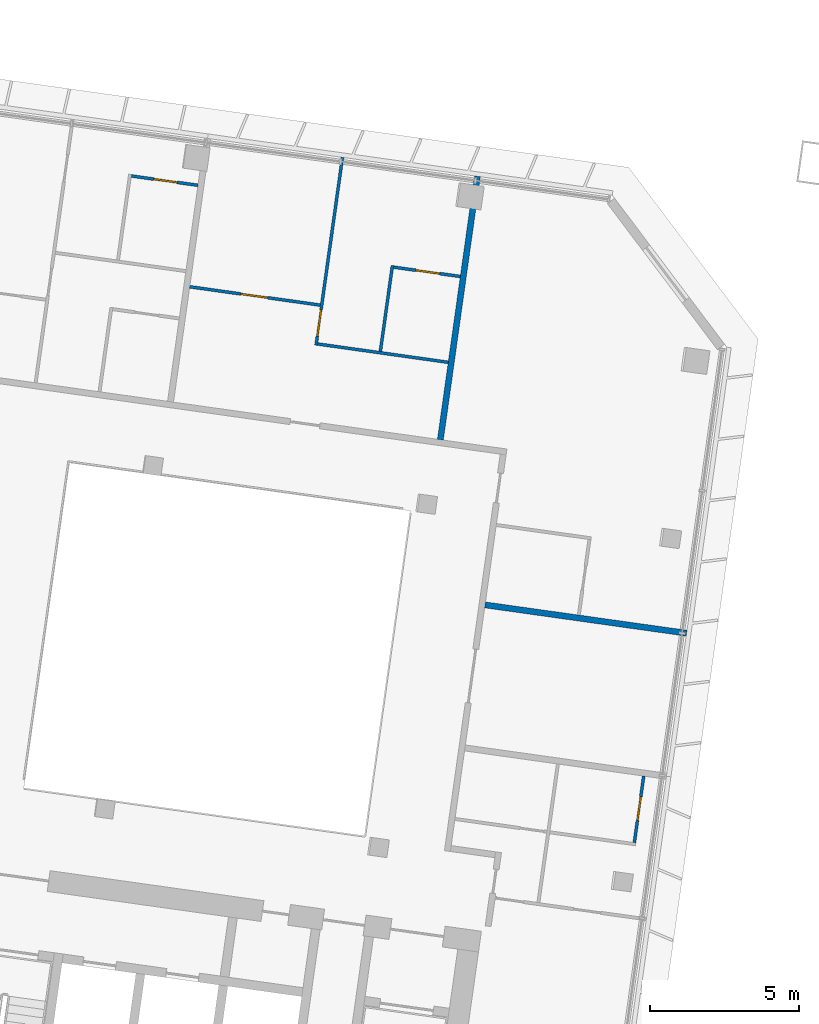
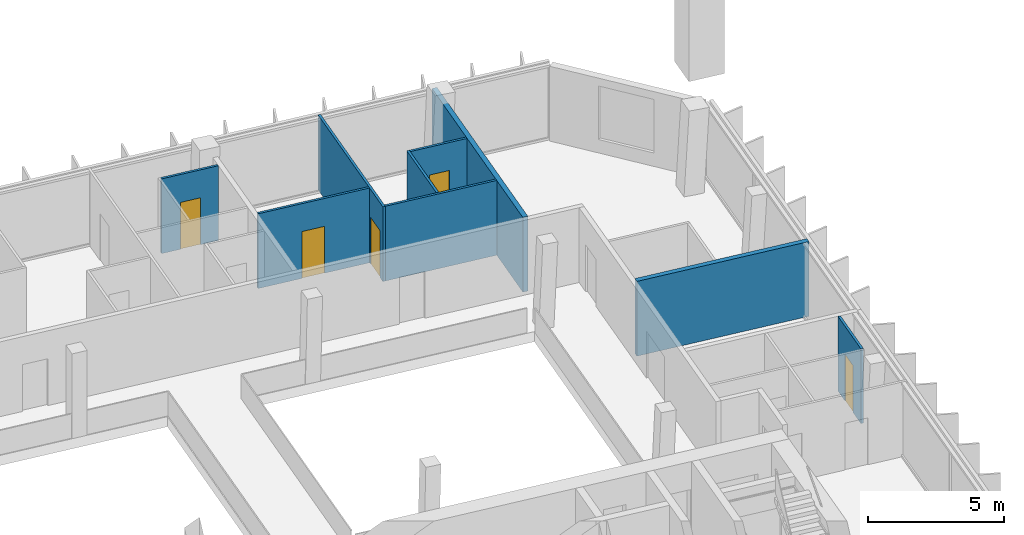
# One storey, part 20 of 32: 9 walls, 5 doors, 5 openings.
"""IFC4 building model written with IfcOpenShell, lengths in metres."""

from ifc_helpers import new_model, si_unit, direction, frame, frame_2d, origin, place, context, subcontext, project, spatial, rectangle, extrude, material, layer, layer_set, type_object, element, fill, save


model = new_model("IFC4")

# Units and contexts
model_context = context("Model", 3, precision=1e-05, world=origin(), true_north=direction((0.0, 1.0)))
body_context = subcontext(model_context, "Body", "Model", "MODEL_VIEW")
ifc_project = project(units=[si_unit("LENGTHUNIT", "METRE"), si_unit("AREAUNIT", "SQUARE_METRE"), si_unit("VOLUMEUNIT", "CUBIC_METRE"), si_unit("PLANEANGLEUNIT", "RADIAN"), si_unit("MASSUNIT", "GRAM", prefix="KILO")], contexts=[model_context])

# Site, building, storey
site_placement = place(None, origin())
site = spatial("IfcSite", under=ifc_project, at=site_placement, CompositionType="ELEMENT")
building_placement = place(site_placement, origin())
building = spatial("IfcBuilding", under=site, at=building_placement, Name="Mirante Cascada Hotel Towers", CompositionType="ELEMENT")
storey_placement = place(building_placement, frame((0.0, 0.0, 176.4)))
storey = spatial("IfcBuildingStorey", under=building, at=storey_placement, Name="L41", CompositionType="ELEMENT", Elevation=176.4)

# Walls
ifc_material_1 = material(Name="Fire-rated plasterboard on metal studs")
ifc_layer_1 = layer(ifc_material_1, 0.2)
ifc_layer_set_1 = layer_set([ifc_layer_1], Name="Compartment wall 200 EI 120")
wall_type_1 = type_object("IfcWallType", Name="Compartment wall 200 EI 120", PredefinedType="PARTITIONING", material=ifc_layer_set_1)
wall_1_placement = place(storey_placement, frame((-28.624, 2.6874, 0.0), z_axis=(0.0, 0.0, 1.0), x_axis=(-0.9902682, 0.139172, 0.0)))
element("IfcWall", 1, at=wall_1_placement, inside=storey, type_object=wall_type_1, Name="Wall 1-L41-14", PredefinedType="PARTITIONING", context=body_context, shape_type="SweptSolid", body=[
    extrude(rectangle(XDim=6.8103, YDim=0.2, at=frame_2d((3.4052, 0.0))), origin(), (0.0, 0.0, 1.0), 3.35),
])
wall_2_placement = place(storey_placement, frame((-35.6235, 17.977, 0.0), z_axis=(0.0, 0.0, 1.0), x_axis=(-0.13917, -0.9902685, 0.0)))
element("IfcWall", 2, at=wall_2_placement, inside=storey, type_object=wall_type_1, Name="Wall 1-L41-35", PredefinedType="PARTITIONING", context=body_context, shape_type="SweptSolid", body=[
    extrude(rectangle(XDim=8.8999, YDim=0.2, at=frame_2d((4.45, 0.0))), origin(), (0.0, 0.0, 1.0), 3.35),
])
ifc_material_2 = material(Name="Plasterboard on metal studs")
ifc_layer_2 = layer(ifc_material_2, 0.1)
ifc_layer_set_2 = layer_set([ifc_layer_2], Name="Partition 100")
wall_type_2 = type_object("IfcWallType", Name="Partition 100", PredefinedType="PARTITIONING", material=ifc_layer_set_2)
wall_3_placement = place(storey_placement, frame((-36.5993, 11.7523, 0.0), z_axis=(0.0, 0.0, 1.0), x_axis=(-0.9902694, 0.1391634, 0.0)))
element("IfcWall", 3, at=wall_3_placement, inside=storey, type_object=wall_type_2, Name="Wall 1-L41-18", PredefinedType="PARTITIONING", context=body_context, shape_type="SweptSolid", body=[
    extrude(rectangle(XDim=4.4092, YDim=0.1, at=frame_2d((2.2046, 0.0))), origin(), (0.0, 0.0, 1.0), 3.35),
])

# Wall, opening, door
wall_4_placement = place(storey_placement, frame((-45.25, 14.2808, 0.0), z_axis=(0.0, 0.0, 1.0), x_axis=(0.9902694, -0.1391634, 0.0)))
wall_4 = element("IfcWall", 4, at=wall_4_placement, inside=storey, type_object=wall_type_2, Name="Wall 1-L41-23", PredefinedType="PARTITIONING", context=body_context, shape_type="SweptSolid", body=[
    extrude(rectangle(XDim=4.4092, YDim=0.1, at=frame_2d((2.2046, 0.0))), origin(), (0.0, 0.0, 1.0), 3.35),
])
opening_1_placement = place(wall_4_placement, frame((1.7296, 0.0, 0.0)))
opening_1 = element("IfcOpeningElement", 5, at=opening_1_placement, cuts=wall_4, Name="Opening D1-L41-17", PredefinedType="OPENING", context=body_context, shape_type="SweptSolid", body=[
    extrude(rectangle(XDim=0.9, YDim=2.1, at=frame_2d((0.45, 1.05))), frame((0.0, 0.05, 0.0), z_axis=(0.0, -1.0, 0.0), x_axis=(1.0, 0.0, 0.0)), (0.0, 0.0, 1.0), 0.1),
])
ifc_material_3 = material(Name="Timber door leaf", Category="wood")
door_type_1 = type_object("IfcDoorType", Name="Room door DG3 900x2100", OperationType="SINGLE_SWING_LEFT", PredefinedType="DOOR", material=ifc_material_3)
door_1_placement = place(opening_1_placement, frame((0.9, 0.0, 0.0), z_axis=(0.0, 0.0, 1.0), x_axis=(-1.0, 0.0, 0.0)))
door_1 = element("IfcDoor", 6, at=door_1_placement, inside=storey, type_object=door_type_1, Name="Door D1-L41-17", OperationType="SINGLE_SWING_RIGHT", OverallHeight=2.1, OverallWidth=0.9, PredefinedType="DOOR", context=body_context, shape_type="SweptSolid", body=[
    extrude(rectangle(XDim=0.9, YDim=2.1, at=frame_2d((0.45, 1.05))), frame((0.0, 0.025, 0.0), z_axis=(0.0, -1.0, 0.0), x_axis=(1.0, 0.0, 0.0)), (0.0, 0.0, 1.0), 0.05),
])
fill(opening_1, door_1)

wall_5_placement = place(storey_placement, frame((-36.1957, 14.6241, 0.0), z_axis=(0.0, 0.0, 1.0), x_axis=(-0.9902705, 0.1391561, 0.0)))
wall_5 = element("IfcWall", 7, at=wall_5_placement, inside=storey, type_object=wall_type_2, Name="Wall 1-L41-26", PredefinedType="PARTITIONING", context=body_context, shape_type="SweptSolid", body=[
    extrude(rectangle(XDim=2.25, YDim=0.1, at=frame_2d((1.125, 0.0))), origin(), (0.0, 0.0, 1.0), 3.35),
])
opening_2_placement = place(wall_5_placement, frame((0.7, 0.0, 0.0)))
opening_2 = element("IfcOpeningElement", 8, at=opening_2_placement, cuts=wall_5, Name="Opening D1-L41-20", PredefinedType="OPENING", context=body_context, shape_type="SweptSolid", body=[
    extrude(rectangle(XDim=0.8, YDim=2.1, at=frame_2d((0.4, 1.05))), frame((0.0, 0.05, 0.0), z_axis=(0.0, -1.0, 0.0), x_axis=(1.0, 0.0, 0.0)), (0.0, 0.0, 1.0), 0.1),
])
ifc_material_4 = material(Name="Timber door leaf", Category="wood")
door_type_2 = type_object("IfcDoorType", Name="Bathroom door DG4 800x2100", OperationType="SINGLE_SWING_LEFT", PredefinedType="DOOR", material=ifc_material_4)
door_2_placement = place(opening_2_placement, frame((0.8, 0.0, 0.0), z_axis=(0.0, 0.0, 1.0), x_axis=(-1.0, 0.0, 0.0)))
door_2 = element("IfcDoor", 9, at=door_2_placement, inside=storey, type_object=door_type_2, Name="Door D1-L41-20", OperationType="SINGLE_SWING_RIGHT", OverallHeight=2.1, OverallWidth=0.8, PredefinedType="DOOR", context=body_context, shape_type="SweptSolid", body=[
    extrude(rectangle(XDim=0.8, YDim=2.1, at=frame_2d((0.4, 1.05))), frame((0.0, 0.025, 0.0), z_axis=(0.0, -1.0, 0.0), x_axis=(1.0, 0.0, 0.0)), (0.0, 0.0, 1.0), 0.05),
])
fill(opening_2, door_2)

wall_6_placement = place(storey_placement, frame((-44.9748, 17.6756, 0.0), z_axis=(0.0, 0.0, 1.0), x_axis=(-0.9902705, 0.1391561, 0.0)))
wall_6 = element("IfcWall", 10, at=wall_6_placement, inside=storey, type_object=wall_type_2, Name="Wall 1-L41-28", PredefinedType="PARTITIONING", context=body_context, shape_type="SweptSolid", body=[
    extrude(rectangle(XDim=2.25, YDim=0.1, at=frame_2d((1.125, 0.0))), origin(), (0.0, 0.0, 1.0), 3.35),
])
opening_3_placement = place(wall_6_placement, frame((0.7, 0.0, 0.0)))
opening_3 = element("IfcOpeningElement", 11, at=opening_3_placement, cuts=wall_6, Name="Opening D1-L41-22", PredefinedType="OPENING", context=body_context, shape_type="SweptSolid", body=[
    extrude(rectangle(XDim=0.8, YDim=2.1, at=frame_2d((0.4, 1.05))), frame((0.0, 0.05, 0.0), z_axis=(0.0, -1.0, 0.0), x_axis=(1.0, 0.0, 0.0)), (0.0, 0.0, 1.0), 0.1),
])
door_3_placement = place(opening_3_placement, origin())
door_3 = element("IfcDoor", 12, at=door_3_placement, inside=storey, type_object=door_type_2, Name="Door D1-L41-22", OperationType="SINGLE_SWING_LEFT", OverallHeight=2.1, OverallWidth=0.8, PredefinedType="DOOR", context=body_context, shape_type="SweptSolid", body=[
    extrude(rectangle(XDim=0.8, YDim=2.1, at=frame_2d((0.4, 1.05))), frame((0.0, 0.025, 0.0), z_axis=(0.0, -1.0, 0.0), x_axis=(1.0, 0.0, 0.0)), (0.0, 0.0, 1.0), 0.05),
])
fill(opening_3, door_3)

wall_7_placement = place(storey_placement, frame((-30.0584, -2.0928, 0.0), z_axis=(0.0, 0.0, 1.0), x_axis=(-0.1391561, -0.9902705, 0.0)))
wall_7 = element("IfcWall", 13, at=wall_7_placement, inside=storey, type_object=wall_type_2, Name="Wall 1-L41-29", PredefinedType="PARTITIONING", context=body_context, shape_type="SweptSolid", body=[
    extrude(rectangle(XDim=2.25, YDim=0.1, at=frame_2d((1.125, 0.0))), origin(), (0.0, 0.0, 1.0), 3.35),
])
opening_4_placement = place(wall_7_placement, frame((0.7, 0.0, 0.0)))
opening_4 = element("IfcOpeningElement", 14, at=opening_4_placement, cuts=wall_7, Name="Opening D1-L41-23", PredefinedType="OPENING", context=body_context, shape_type="SweptSolid", body=[
    extrude(rectangle(XDim=0.8, YDim=2.1, at=frame_2d((0.4, 1.05))), frame((0.0, 0.05, 0.0), z_axis=(0.0, -1.0, 0.0), x_axis=(1.0, 0.0, 0.0)), (0.0, 0.0, 1.0), 0.1),
])
door_4_placement = place(opening_4_placement, frame((0.8, 0.0, 0.0), z_axis=(0.0, 0.0, 1.0), x_axis=(-1.0, 0.0, 0.0)))
door_4 = element("IfcDoor", 15, at=door_4_placement, inside=storey, type_object=door_type_2, Name="Door D1-L41-23", OperationType="SINGLE_SWING_RIGHT", OverallHeight=2.1, OverallWidth=0.8, PredefinedType="DOOR", context=body_context, shape_type="SweptSolid", body=[
    extrude(rectangle(XDim=0.8, YDim=2.1, at=frame_2d((0.4, 1.05))), frame((0.0, 0.025, 0.0), z_axis=(0.0, -1.0, 0.0), x_axis=(1.0, 0.0, 0.0)), (0.0, 0.0, 1.0), 0.05),
])
fill(opening_4, door_4)

# Wall
wall_8_placement = place(storey_placement, frame((-38.8699, 12.1219, 0.0), z_axis=(0.0, 0.0, 1.0), x_axis=(0.1391714, 0.9902683, 0.0)))
element("IfcWall", 16, at=wall_8_placement, inside=storey, type_object=wall_type_2, Name="Wall 1-L41-36", PredefinedType="PARTITIONING", context=body_context, shape_type="SweptSolid", body=[
    extrude(rectangle(XDim=2.9, YDim=0.1, at=frame_2d((1.45, 0.0))), origin(), (0.0, 0.0, 1.0), 3.35),
])

# Wall, opening, door
wall_9_placement = place(storey_placement, frame((-40.1383, 18.6116, 0.0), z_axis=(0.0, 0.0, 1.0), x_axis=(-0.1391656, -0.9902691, 0.0)))
wall_9 = element("IfcWall", 17, at=wall_9_placement, inside=storey, type_object=wall_type_2, Name="Wall 1-L41-37", PredefinedType="PARTITIONING", context=body_context, shape_type="SweptSolid", body=[
    extrude(rectangle(XDim=6.35, YDim=0.1, at=frame_2d((3.175, 0.0))), origin(), (0.0, 0.0, 1.0), 3.35),
])
opening_5_placement = place(wall_9_placement, frame((5.15, 0.0, 0.0)))
opening_5 = element("IfcOpeningElement", 18, at=opening_5_placement, cuts=wall_9, Name="Opening D1-L41-28", PredefinedType="OPENING", context=body_context, shape_type="SweptSolid", body=[
    extrude(rectangle(XDim=0.9, YDim=2.1, at=frame_2d((0.45, 1.05))), frame((0.0, 0.05, 0.0), z_axis=(0.0, -1.0, 0.0), x_axis=(1.0, 0.0, 0.0)), (0.0, 0.0, 1.0), 0.1),
])
door_5_placement = place(opening_5_placement, origin())
door_5 = element("IfcDoor", 19, at=door_5_placement, inside=storey, type_object=door_type_1, Name="Door D1-L41-28", OperationType="SINGLE_SWING_LEFT", OverallHeight=2.1, OverallWidth=0.9, PredefinedType="DOOR", context=body_context, shape_type="SweptSolid", body=[
    extrude(rectangle(XDim=0.9, YDim=2.1, at=frame_2d((0.45, 1.05))), frame((0.0, 0.025, 0.0), z_axis=(0.0, -1.0, 0.0), x_axis=(1.0, 0.0, 0.0)), (0.0, 0.0, 1.0), 0.05),
])
fill(opening_5, door_5)

save(model, "model.ifc")
